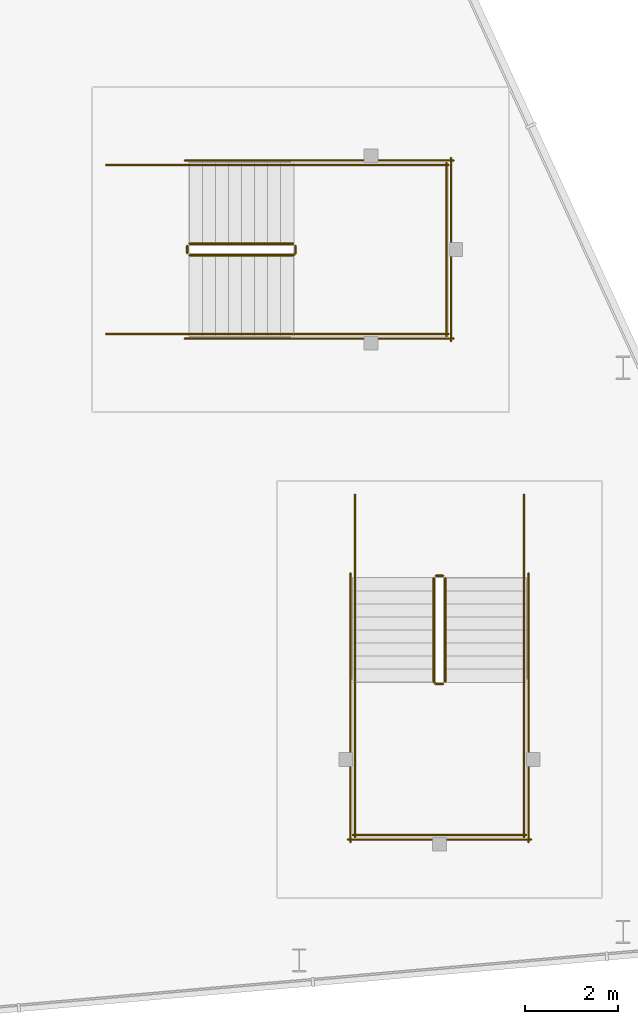
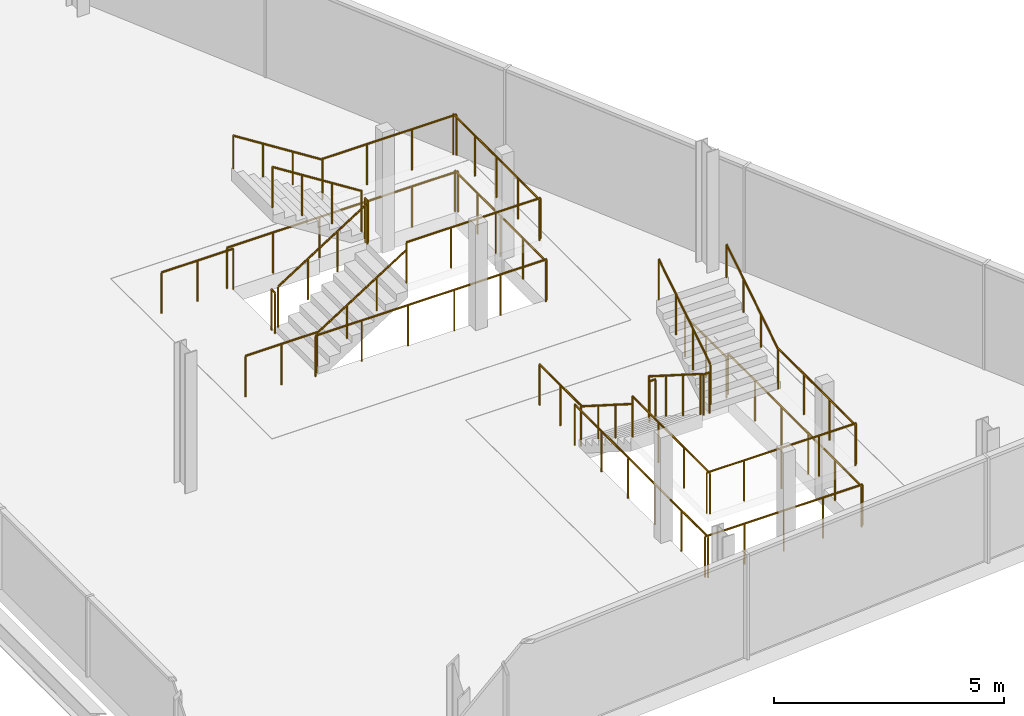
# One storey, part 5 of 6: 26 railings.
"""IFC4 building model written with IfcOpenShell, lengths in metres."""

import ifcopenshell
import ifcopenshell.guid

model = None  # the IFC model being written
_history = None  # IfcOwnerHistory: only IFC2X3 demands one
_inside = {}  # id of a spatial element -> (the spatial element, [elements in it])
_under = {}  # id of a project, library or spatial element -> (it, [spatial elements below it])
_declared = {}  # id of a project -> (the project, [libraries it declares])
_typed = {}  # id of a type object -> (the type object, [elements of that type])
_made_of = {}  # id of a material, layer set ... -> (it, [elements and type objects made of it])


def new_model(schema):
    """Start an empty IFC model of exactly this schema.

    Asked for "IFC4X3", IfcOpenShell would pick the latest addendum, in which some entities
    have other attributes; the version numbers below select the first issue.
    IFC2X3 requires an IfcOwnerHistory on every rooted entity: one is made here for all.
    """
    global model, _history
    if schema == "IFC4X3":
        model = ifcopenshell.file(schema_version=(4, 3, 0, 0))
    else:
        model = ifcopenshell.file(schema=schema)
    _inside.clear()
    _under.clear()
    _declared.clear()
    _typed.clear()
    _made_of.clear()
    _history = None
    if model.schema == "IFC2X3":
        org = make("IfcOrganization", Name="unknown")
        user = make(
            "IfcPersonAndOrganization",
            ThePerson=make("IfcPerson", FamilyName="unknown"),
            TheOrganization=org,
        )
        app = make(
            "IfcApplication",
            ApplicationDeveloper=org,
            Version="unknown",
            ApplicationFullName="unknown",
            ApplicationIdentifier="unknown",
        )
        _history = make(
            "IfcOwnerHistory",
            OwningUser=user,
            OwningApplication=app,
            ChangeAction="ADDED",
            CreationDate=0,
        )
    return model


def make(cls, **values):
    """One entity of the class cls with the attributes given. An attribute that is None is left unset."""
    return model.create_entity(
        cls, **{name: value for name, value in values.items() if value is not None}
    )


def rooted(cls, **values):
    """An entity with a GlobalId (a new one), such as an element, a storey or a relation."""
    return make(cls, GlobalId=ifcopenshell.guid.new(), OwnerHistory=_history, **values)


def si_unit(unit_type, name, prefix=None):
    """IfcSIUnit, for example si_unit("LENGTHUNIT", "METRE", prefix="MILLI")."""
    return make("IfcSIUnit", UnitType=unit_type, Prefix=prefix, Name=name)


def assignment(units):
    """IfcUnitAssignment: the units of a project."""
    return None if units is None else make("IfcUnitAssignment", Units=units)


def point(xyz):
    """IfcCartesianPoint."""
    return None if xyz is None else make("IfcCartesianPoint", Coordinates=xyz)


def direction(xyz):
    """IfcDirection."""
    return None if xyz is None else make("IfcDirection", DirectionRatios=xyz)


def frame(location, z_axis=None, x_axis=None):
    """IfcAxis2Placement3D, a coordinate frame: its origin and axes. An axis left out is left unset."""
    return make(
        "IfcAxis2Placement3D",
        Location=point(location),
        Axis=direction(z_axis),
        RefDirection=direction(x_axis),
    )


def frame_2d(location, x_axis=None):
    """IfcAxis2Placement2D, a coordinate frame in the plane: its origin and x axis."""
    return make(
        "IfcAxis2Placement2D", Location=point(location), RefDirection=direction(x_axis)
    )


def origin():
    """The frame at (0, 0, 0) with its axes left unset."""
    return frame((0.0, 0.0, 0.0))


def origin_2d():
    """The frame at (0, 0) in the plane with its x axis left unset."""
    return frame_2d((0.0, 0.0))


def place(relative_to, where):
    """IfcLocalPlacement: puts the frame where relative to a parent placement (None: the world)."""
    return make(
        "IfcLocalPlacement", PlacementRelTo=relative_to, RelativePlacement=where
    )


def context(
    kind, dimensions, precision=None, world=None, true_north=None, identifier=None
):
    """IfcGeometricRepresentationContext, for example the 3D "Model" context."""
    return make(
        "IfcGeometricRepresentationContext",
        ContextIdentifier=identifier,
        ContextType=kind,
        CoordinateSpaceDimension=dimensions,
        Precision=precision,
        WorldCoordinateSystem=world,
        TrueNorth=true_north,
    )


def subcontext(parent, identifier, kind, view, scale=None):
    """IfcGeometricRepresentationSubContext, for example "Body" below "Model"."""
    return make(
        "IfcGeometricRepresentationSubContext",
        ContextIdentifier=identifier,
        ContextType=kind,
        ParentContext=parent,
        TargetScale=scale,
        TargetView=view,
    )


def project(units=None, contexts=None):
    """IfcProject with its units and contexts."""
    return rooted(
        "IfcProject",
        Name="project",
        RepresentationContexts=contexts,
        UnitsInContext=assignment(units),
    )


def spatial(cls, under=None, at=None, **own):
    """A site, building, storey or space (cls), placed at a placement, below another one or the project."""
    s = rooted(cls, ObjectPlacement=at, **own)
    if under is not None:
        _under.setdefault(under.id(), (under, []))[1].append(s)
    return s


def profile(cls, at=None, kind="AREA", **sizes):
    """A parametric profile (cls). Its sizes go by their IFC names, for example OverallWidth=200.0."""
    return make(cls, ProfileType=kind, Position=at, **sizes)


def circle(**sizes):
    """IfcCircleProfileDef."""
    return profile("IfcCircleProfileDef", **sizes)


def extrude(swept, where, along, depth):
    """IfcExtrudedAreaSolid: the profile swept, set in the frame where, extruded along a direction by depth."""
    return make(
        "IfcExtrudedAreaSolid",
        SweptArea=swept,
        Position=where,
        ExtrudedDirection=direction(along),
        Depth=depth,
    )


def shape(context_of_items, identifier, shape_type, items):
    """IfcShapeRepresentation: the items that make up one representation, for example the "Body"."""
    return make(
        "IfcShapeRepresentation",
        ContextOfItems=context_of_items,
        RepresentationIdentifier=identifier,
        RepresentationType=shape_type,
        Items=items,
    )


def material(Name=None, Category=None):
    """IfcMaterial."""
    return make("IfcMaterial", Name=Name, Category=Category)


def made_of(thing, what):
    """Note that an element or type object is made of a material, layer set ...; save() writes the relation."""
    if what is not None:
        _made_of.setdefault(what.id(), (what, []))[1].append(thing)
    return thing


def type_object(cls, material=None, **own):
    """A type object (cls), such as IfcWallType, which elements share."""
    return made_of(rooted(cls, **own), material)


def element(
    cls,
    number,
    at=None,
    inside=None,
    cuts=None,
    type_object=None,
    material=None,
    context=None,
    identifier="Body",
    shape_type=None,
    held_by="IfcProductDefinitionShape",
    body=None,
    shapes=None,
    **own,
):
    """One element of the class cls, such as IfcWall. Its Tag is "e" and its number.

    at: its placement. inside: the storey or other place that contains it. cuts: it is an
    opening in that element (IfcRelVoidsElement). A single representation is given by context,
    identifier, shape_type and body (its items); several are given by shapes. held_by: the class
    of the entity that holds the representations. save() writes the other relations.
    """
    e = rooted(cls, Tag="e%d" % number, ObjectPlacement=at, **own)
    if body is not None:
        shapes = [shape(context, identifier, shape_type, body)]
    if shapes is not None:
        e.Representation = make(held_by, Representations=shapes)
    if inside is not None:
        _inside.setdefault(inside.id(), (inside, []))[1].append(e)
    if cuts is not None:
        rooted(
            "IfcRelVoidsElement", RelatingBuildingElement=cuts, RelatedOpeningElement=e
        )
    if type_object is not None:
        _typed.setdefault(type_object.id(), (type_object, []))[1].append(e)
    return made_of(e, material)


def aggregate(whole, parts):
    """IfcRelAggregates: a whole, such as a stair, and the parts it consists of."""
    return rooted("IfcRelAggregates", RelatingObject=whole, RelatedObjects=parts)


def save(model, path):
    """Write the relations noted so far, then the file.

    IfcRelAggregates (storeys below a building ...), IfcRelContainedInSpatialStructure (elements
    in a storey), IfcRelDefinesByType, IfcRelAssociatesMaterial and IfcRelDeclares: one each for
    every whole, place, type object, material and project.
    """
    for whole, parts in _under.values():
        aggregate(whole, parts)
    for where, things in _inside.values():
        rooted(
            "IfcRelContainedInSpatialStructure",
            RelatedElements=things,
            RelatingStructure=where,
        )
    for kind, things in _typed.values():
        rooted("IfcRelDefinesByType", RelatedObjects=things, RelatingType=kind)
    for what, things in _made_of.values():
        rooted("IfcRelAssociatesMaterial", RelatedObjects=things, RelatingMaterial=what)
    for by, libraries in _declared.values():
        rooted("IfcRelDeclares", RelatingContext=by, RelatedDefinitions=libraries)
    model.write(path)


model = new_model("IFC4")

# Units and contexts
model_context = context("Model", 3, precision=1e-05, world=origin(), true_north=direction((0.0, 1.0)))
body_context = subcontext(model_context, "Body", "Model", "MODEL_VIEW")
ifc_project = project(units=[si_unit("LENGTHUNIT", "METRE"), si_unit("AREAUNIT", "SQUARE_METRE"), si_unit("VOLUMEUNIT", "CUBIC_METRE"), si_unit("PLANEANGLEUNIT", "RADIAN"), si_unit("MASSUNIT", "GRAM", prefix="KILO")], contexts=[model_context])

# Site, building, storey
site_placement = place(None, origin())
site = spatial("IfcSite", under=ifc_project, at=site_placement, CompositionType="ELEMENT")
building_placement = place(site_placement, origin())
building = spatial("IfcBuilding", under=site, at=building_placement, Name="Wharfspan Tower", CompositionType="ELEMENT")
storey_placement = place(building_placement, frame((0.0, 0.0, 273.899902)))
storey = spatial("IfcBuildingStorey", under=building, at=storey_placement, Name="L70", CompositionType="ELEMENT", Elevation=273.899902)

# Railings
ifc_material = material(Name="Steel S355J2", Category="steel")
railing_type_1 = type_object("IfcRailingType", Name="Stair guard 1100", PredefinedType="GUARDRAIL", material=ifc_material)
railing_1_placement = place(storey_placement, frame((67.906738, 16.421631, 0.177979)))
element("IfcRailing", 1, at=railing_1_placement, inside=storey, type_object=railing_type_1, Name="L70 ST7 stair guard 1", PredefinedType="GUARDRAIL", context=body_context, shape_type="SweptSolid", body=[
    extrude(circle(Radius=0.023926, at=origin_2d()), frame((0.0, 0.0, 1.076172), z_axis=(0.0, -0.844229, 0.535982), x_axis=(1.0, 0.0, 0.0)), (0.0, 0.0, 1.0), 2.65332),
    extrude(circle(Radius=0.023926, at=origin_2d()), frame((0.0, -2.23999, 2.498047), z_axis=(0.707107, -0.707107, 0.0), x_axis=(0.707107, 0.707107, 0.0)), (0.0, 0.0, 1.0), 0.070312),
    extrude(circle(Radius=0.023926, at=origin_2d()), frame((0.049805, -2.289795, 2.498047), z_axis=(1.0, 0.0, 0.0), x_axis=(0.0, 1.0, 0.0)), (0.0, 0.0, 1.0), 0.150146),
    extrude(circle(Radius=0.020996, at=origin_2d()), origin(), (0.0, 0.0, 1.0), 1.052002),
    extrude(circle(Radius=0.020996, at=origin_2d()), frame((0.0, -0.746582, 0.474121)), (0.0, 0.0, 1.0), 1.052002),
    extrude(circle(Radius=0.020996, at=origin_2d()), frame((0.0, -1.493408, 0.947998)), (0.0, 0.0, 1.0), 1.052002),
    extrude(circle(Radius=0.020996, at=origin_2d()), frame((0.0, -2.23999, 1.422119)), (0.0, 0.0, 1.0), 1.052002),
    extrude(circle(Radius=0.020996, at=origin_2d()), frame((0.049805, -2.289795, 1.422119)), (0.0, 0.0, 1.0), 1.052002),
    extrude(circle(Radius=0.020996, at=origin_2d()), frame((0.199951, -2.289795, 1.422119)), (0.0, 0.0, 1.0), 1.052002),
])
for number, where, name in (
    (2, (66.206543, 14.181641, 1.600098), "L70 ST7 stair guard 2"),
    (3, (69.856689, 14.181641, 1.600098), "L70 ST7 stair guard 3"),
):
    element("IfcRailing", number, at=place(storey_placement, frame(where)), inside=storey, type_object=railing_type_1, Name=name, PredefinedType="GUARDRAIL", context=body_context, shape_type="SweptSolid", body=[
        extrude(circle(Radius=0.023926, at=origin_2d()), frame((0.0, 0.0, 1.076172), z_axis=(0.0, -1.0, 0.0), x_axis=(1.0, 0.0, 0.0)), (0.0, 0.0, 1.0), 3.359863),
        extrude(circle(Radius=0.020996, at=origin_2d()), origin(), (0.0, 0.0, 1.0), 1.052002),
        extrude(circle(Radius=0.020996, at=origin_2d()), frame((0.0, -1.119873, 0.0)), (0.0, 0.0, 1.0), 1.052002),
        extrude(circle(Radius=0.020996, at=origin_2d()), frame((0.0, -2.23999, 0.0)), (0.0, 0.0, 1.0), 1.052002),
        extrude(circle(Radius=0.020996, at=origin_2d()), frame((0.0, -3.359863, 0.0)), (0.0, 0.0, 1.0), 1.052002),
    ])
railing_2_placement = place(storey_placement, frame((66.156738, 10.871826, 1.600098)))
element("IfcRailing", 4, at=railing_2_placement, inside=storey, type_object=railing_type_1, Name="L70 ST7 stair guard 4", PredefinedType="GUARDRAIL", context=body_context, shape_type="SweptSolid", body=[
    extrude(circle(Radius=0.023926, at=origin_2d()), frame((0.0, 0.0, 1.076172), z_axis=(1.0, 0.0, 0.0), x_axis=(0.0, 1.0, 0.0)), (0.0, 0.0, 1.0), 3.75),
    extrude(circle(Radius=0.020996, at=origin_2d()), origin(), (0.0, 0.0, 1.0), 1.052002),
    extrude(circle(Radius=0.020996, at=origin_2d()), frame((0.9375, 0.0, 0.0)), (0.0, 0.0, 1.0), 1.052002),
    extrude(circle(Radius=0.020996, at=origin_2d()), frame((1.875, 0.0, 0.0)), (0.0, 0.0, 1.0), 1.052002),
    extrude(circle(Radius=0.020996, at=origin_2d()), frame((2.8125, 0.0, 0.0)), (0.0, 0.0, 1.0), 1.052002),
    extrude(circle(Radius=0.020996, at=origin_2d()), frame((3.75, 0.0, 0.0)), (0.0, 0.0, 1.0), 1.052002),
])
railing_3_placement = place(storey_placement, frame((68.156738, 14.181641, 1.777832)))
element("IfcRailing", 5, at=railing_3_placement, inside=storey, type_object=railing_type_1, Name="L70 ST7 stair guard 5", PredefinedType="GUARDRAIL", context=body_context, shape_type="SweptSolid", body=[
    extrude(circle(Radius=0.023926, at=origin_2d()), frame((0.0, 0.0, 1.076172), z_axis=(0.0, 0.844188, 0.536048), x_axis=(-1.0, 0.0, 0.0)), (0.0, 0.0, 1.0), 2.65332),
    extrude(circle(Radius=0.020996, at=origin_2d()), origin(), (0.0, 0.0, 1.0), 1.052002),
    extrude(circle(Radius=0.020996, at=origin_2d()), frame((0.0, 0.746582, 0.474121)), (0.0, 0.0, 1.0), 1.052002),
    extrude(circle(Radius=0.020996, at=origin_2d()), frame((0.0, 1.493408, 0.948242)), (0.0, 0.0, 1.0), 1.052002),
    extrude(circle(Radius=0.020996, at=origin_2d()), frame((0.0, 2.23999, 1.422363)), (0.0, 0.0, 1.0), 1.052002),
])
railing_4_placement = place(storey_placement, frame((67.956543, 16.47168, 0.0)))
element("IfcRailing", 6, at=railing_4_placement, inside=storey, type_object=railing_type_1, Name="L70 ST7 stair guard 6", PredefinedType="GUARDRAIL", context=body_context, shape_type="SweptSolid", body=[
    extrude(circle(Radius=0.023926, at=origin_2d()), frame((0.0, 0.0, 1.076172), z_axis=(1.0, 0.0, 0.0), x_axis=(0.0, 1.0, 0.0)), (0.0, 0.0, 1.0), 0.150146),
    extrude(circle(Radius=0.020996, at=origin_2d()), origin(), (0.0, 0.0, 1.0), 1.052002),
    extrude(circle(Radius=0.020996, at=origin_2d()), frame((0.150146, 0.0, 0.0)), (0.0, 0.0, 1.0), 1.052002),
])
for number, where, name in (
    (7, (66.206543, 18.22168, 0.0), "L70 ST7 stair guard 7"),
    (8, (69.856689, 18.22168, 0.0), "L70 ST7 stair guard 8"),
):
    element("IfcRailing", number, at=place(storey_placement, frame(where)), inside=storey, type_object=railing_type_1, Name=name, PredefinedType="GUARDRAIL", context=body_context, shape_type="SweptSolid", body=[
        extrude(circle(Radius=0.023926, at=origin_2d()), frame((0.0, 0.0, 1.076172), z_axis=(0.0, -1.0, 0.0), x_axis=(1.0, 0.0, 0.0)), (0.0, 0.0, 1.0), 1.800049),
        extrude(circle(Radius=0.020996, at=origin_2d()), origin(), (0.0, 0.0, 1.0), 1.052002),
        extrude(circle(Radius=0.020996, at=origin_2d()), frame((0.0, -0.899902, 0.0)), (0.0, 0.0, 1.0), 1.052002),
        extrude(circle(Radius=0.020996, at=origin_2d()), frame((0.0, -1.800049, 0.0)), (0.0, 0.0, 1.0), 1.052002),
    ])
for number, where, name in (
    (9, (66.106689, 16.521729, 0.0), "L70 ST7 stair guard 9"),
    (10, (69.956543, 16.521729, 0.0), "L70 ST7 stair guard 10"),
):
    element("IfcRailing", number, at=place(storey_placement, frame(where)), inside=storey, type_object=railing_type_1, Name=name, PredefinedType="GUARDRAIL", context=body_context, shape_type="SweptSolid", body=[
        extrude(circle(Radius=0.023926, at=origin_2d()), frame((0.0, 0.0, 1.076172), z_axis=(0.0, -1.0, 0.0), x_axis=(1.0, 0.0, 0.0)), (0.0, 0.0, 1.0), 5.800049),
        extrude(circle(Radius=0.020996, at=origin_2d()), origin(), (0.0, 0.0, 1.0), 1.052002),
        extrude(circle(Radius=0.020996, at=origin_2d()), frame((0.0, -1.159912, 0.0)), (0.0, 0.0, 1.0), 1.052002),
        extrude(circle(Radius=0.020996, at=origin_2d()), frame((0.0, -2.320068, 0.0)), (0.0, 0.0, 1.0), 1.052002),
        extrude(circle(Radius=0.020996, at=origin_2d()), frame((0.0, -3.47998, 0.0)), (0.0, 0.0, 1.0), 1.052002),
        extrude(circle(Radius=0.020996, at=origin_2d()), frame((0.0, -4.640137, 0.0)), (0.0, 0.0, 1.0), 1.052002),
        extrude(circle(Radius=0.020996, at=origin_2d()), frame((0.0, -5.800049, 0.0)), (0.0, 0.0, 1.0), 1.052002),
    ])
railing_5_placement = place(storey_placement, frame((66.056641, 10.771729, 0.0)))
element("IfcRailing", 11, at=railing_5_placement, inside=storey, type_object=railing_type_1, Name="L70 ST7 stair guard 11", PredefinedType="GUARDRAIL", context=body_context, shape_type="SweptSolid", body=[
    extrude(circle(Radius=0.023926, at=origin_2d()), frame((0.0, 0.0, 1.076172), z_axis=(1.0, 0.0, 0.0), x_axis=(0.0, 1.0, 0.0)), (0.0, 0.0, 1.0), 3.949951),
    extrude(circle(Radius=0.020996, at=origin_2d()), origin(), (0.0, 0.0, 1.0), 1.052002),
    extrude(circle(Radius=0.020996, at=origin_2d()), frame((0.987549, 0.0, 0.0)), (0.0, 0.0, 1.0), 1.052002),
    extrude(circle(Radius=0.020996, at=origin_2d()), frame((1.975098, 0.0, 0.0)), (0.0, 0.0, 1.0), 1.052002),
    extrude(circle(Radius=0.020996, at=origin_2d()), frame((2.962402, 0.0, 0.0)), (0.0, 0.0, 1.0), 1.052002),
    extrude(circle(Radius=0.020996, at=origin_2d()), frame((3.949951, 0.0, 0.0)), (0.0, 0.0, 1.0), 1.052002),
])
railing_6_placement = place(storey_placement, frame((62.631592, 23.396729, 0.177979)))
element("IfcRailing", 12, at=railing_6_placement, inside=storey, type_object=railing_type_1, Name="L70 ST8 stair guard 1", PredefinedType="GUARDRAIL", context=body_context, shape_type="SweptSolid", body=[
    extrude(circle(Radius=0.023926, at=origin_2d()), frame((0.0, 0.0, 1.076172), z_axis=(0.844229, 0.0, 0.535982), x_axis=(0.0, 1.0, 0.0)), (0.0, 0.0, 1.0), 2.65332),
    extrude(circle(Radius=0.023926, at=origin_2d()), frame((2.23999, 0.0, 2.498047), z_axis=(0.707107, 0.707107, 0.0), x_axis=(-0.707107, 0.707107, 0.0)), (0.0, 0.0, 1.0), 0.070801),
    extrude(circle(Radius=0.023926, at=origin_2d()), frame((2.290039, 0.050049, 2.498047), z_axis=(0.0, 1.0, 0.0), x_axis=(-1.0, 0.0, 0.0)), (0.0, 0.0, 1.0), 0.149902),
    extrude(circle(Radius=0.020996, at=origin_2d()), origin(), (0.0, 0.0, 1.0), 1.052002),
    extrude(circle(Radius=0.020996, at=origin_2d()), frame((0.746582, 0.0, 0.474121)), (0.0, 0.0, 1.0), 1.052002),
    extrude(circle(Radius=0.020996, at=origin_2d()), frame((1.493408, 0.0, 0.947998)), (0.0, 0.0, 1.0), 1.052002),
    extrude(circle(Radius=0.020996, at=origin_2d()), frame((2.23999, 0.0, 1.422119)), (0.0, 0.0, 1.0), 1.052002),
    extrude(circle(Radius=0.020996, at=origin_2d()), frame((2.290039, 0.050049, 1.422119)), (0.0, 0.0, 1.0), 1.052002),
    extrude(circle(Radius=0.020996, at=origin_2d()), frame((2.290039, 0.199951, 1.422119)), (0.0, 0.0, 1.0), 1.052002),
])
for number, where, name in (
    (13, (64.871582, 21.696777, 1.600098), "L70 ST8 stair guard 2"),
    (14, (64.871582, 25.34668, 1.600098), "L70 ST8 stair guard 3"),
):
    element("IfcRailing", number, at=place(storey_placement, frame(where)), inside=storey, type_object=railing_type_1, Name=name, PredefinedType="GUARDRAIL", context=body_context, shape_type="SweptSolid", body=[
        extrude(circle(Radius=0.023926, at=origin_2d()), frame((0.0, 0.0, 1.076172), z_axis=(1.0, 0.0, 0.0), x_axis=(0.0, 1.0, 0.0)), (0.0, 0.0, 1.0), 3.360107),
        extrude(circle(Radius=0.020996, at=origin_2d()), origin(), (0.0, 0.0, 1.0), 1.052002),
        extrude(circle(Radius=0.020996, at=origin_2d()), frame((1.120117, 0.0, 0.0)), (0.0, 0.0, 1.0), 1.052002),
        extrude(circle(Radius=0.020996, at=origin_2d()), frame((2.23999, 0.0, 0.0)), (0.0, 0.0, 1.0), 1.052002),
        extrude(circle(Radius=0.020996, at=origin_2d()), frame((3.360107, 0.0, 0.0)), (0.0, 0.0, 1.0), 1.052002),
    ])
railing_7_placement = place(storey_placement, frame((68.181641, 21.646729, 1.600098)))
element("IfcRailing", 15, at=railing_7_placement, inside=storey, type_object=railing_type_1, Name="L70 ST8 stair guard 4", PredefinedType="GUARDRAIL", context=body_context, shape_type="SweptSolid", body=[
    extrude(circle(Radius=0.023926, at=origin_2d()), frame((0.0, 0.0, 1.076172), z_axis=(0.0, 1.0, 0.0), x_axis=(-1.0, 0.0, 0.0)), (0.0, 0.0, 1.0), 3.75),
    extrude(circle(Radius=0.020996, at=origin_2d()), origin(), (0.0, 0.0, 1.0), 1.052002),
    extrude(circle(Radius=0.020996, at=origin_2d()), frame((0.0, 0.9375, 0.0)), (0.0, 0.0, 1.0), 1.052002),
    extrude(circle(Radius=0.020996, at=origin_2d()), frame((0.0, 1.875, 0.0)), (0.0, 0.0, 1.0), 1.052002),
    extrude(circle(Radius=0.020996, at=origin_2d()), frame((0.0, 2.8125, 0.0)), (0.0, 0.0, 1.0), 1.052002),
    extrude(circle(Radius=0.020996, at=origin_2d()), frame((0.0, 3.75, 0.0)), (0.0, 0.0, 1.0), 1.052002),
])
railing_8_placement = place(storey_placement, frame((64.871582, 23.646729, 1.777832)))
element("IfcRailing", 16, at=railing_8_placement, inside=storey, type_object=railing_type_1, Name="L70 ST8 stair guard 5", PredefinedType="GUARDRAIL", context=body_context, shape_type="SweptSolid", body=[
    extrude(circle(Radius=0.023926, at=origin_2d()), frame((0.0, 0.0, 1.076172), z_axis=(-0.844188, 0.0, 0.536048), x_axis=(0.0, -1.0, 0.0)), (0.0, 0.0, 1.0), 2.65332),
    extrude(circle(Radius=0.020996, at=origin_2d()), origin(), (0.0, 0.0, 1.0), 1.052002),
    extrude(circle(Radius=0.020996, at=origin_2d()), frame((-0.746582, 0.0, 0.474121)), (0.0, 0.0, 1.0), 1.052002),
    extrude(circle(Radius=0.020996, at=origin_2d()), frame((-1.493408, 0.0, 0.948242)), (0.0, 0.0, 1.0), 1.052002),
    extrude(circle(Radius=0.020996, at=origin_2d()), frame((-2.23999, 0.0, 1.422363)), (0.0, 0.0, 1.0), 1.052002),
])
railing_9_placement = place(storey_placement, frame((62.581543, 23.446777, 0.0)))
element("IfcRailing", 17, at=railing_9_placement, inside=storey, type_object=railing_type_1, Name="L70 ST8 stair guard 6", PredefinedType="GUARDRAIL", context=body_context, shape_type="SweptSolid", body=[
    extrude(circle(Radius=0.023926, at=origin_2d()), frame((0.0, 0.0, 1.076172), z_axis=(0.0, 1.0, 0.0), x_axis=(-1.0, 0.0, 0.0)), (0.0, 0.0, 1.0), 0.149902),
    extrude(circle(Radius=0.020996, at=origin_2d()), origin(), (0.0, 0.0, 1.0), 1.052002),
    extrude(circle(Radius=0.020996, at=origin_2d()), frame((0.0, 0.149902, 0.0)), (0.0, 0.0, 1.0), 1.052002),
])
for number, where, name in (
    (18, (60.831543, 21.696777, 0.0), "L70 ST8 stair guard 7"),
    (19, (60.831543, 25.34668, 0.0), "L70 ST8 stair guard 8"),
):
    element("IfcRailing", number, at=place(storey_placement, frame(where)), inside=storey, type_object=railing_type_1, Name=name, PredefinedType="GUARDRAIL", context=body_context, shape_type="SweptSolid", body=[
        extrude(circle(Radius=0.023926, at=origin_2d()), frame((0.0, 0.0, 1.076172), z_axis=(1.0, 0.0, 0.0), x_axis=(0.0, 1.0, 0.0)), (0.0, 0.0, 1.0), 1.800049),
        extrude(circle(Radius=0.020996, at=origin_2d()), origin(), (0.0, 0.0, 1.0), 1.052002),
        extrude(circle(Radius=0.020996, at=origin_2d()), frame((0.899902, 0.0, 0.0)), (0.0, 0.0, 1.0), 1.052002),
        extrude(circle(Radius=0.020996, at=origin_2d()), frame((1.800049, 0.0, 0.0)), (0.0, 0.0, 1.0), 1.052002),
    ])
for number, where, name in (
    (20, (62.531738, 21.59668, 0.0), "L70 ST8 stair guard 9"),
    (21, (62.531738, 25.446777, 0.0), "L70 ST8 stair guard 10"),
):
    element("IfcRailing", number, at=place(storey_placement, frame(where)), inside=storey, type_object=railing_type_1, Name=name, PredefinedType="GUARDRAIL", context=body_context, shape_type="SweptSolid", body=[
        extrude(circle(Radius=0.023926, at=origin_2d()), frame((0.0, 0.0, 1.076172), z_axis=(1.0, 0.0, 0.0), x_axis=(0.0, 1.0, 0.0)), (0.0, 0.0, 1.0), 5.799805),
        extrude(circle(Radius=0.020996, at=origin_2d()), origin(), (0.0, 0.0, 1.0), 1.052002),
        extrude(circle(Radius=0.020996, at=origin_2d()), frame((1.159912, 0.0, 0.0)), (0.0, 0.0, 1.0), 1.052002),
        extrude(circle(Radius=0.020996, at=origin_2d()), frame((2.319824, 0.0, 0.0)), (0.0, 0.0, 1.0), 1.052002),
        extrude(circle(Radius=0.020996, at=origin_2d()), frame((3.47998, 0.0, 0.0)), (0.0, 0.0, 1.0), 1.052002),
        extrude(circle(Radius=0.020996, at=origin_2d()), frame((4.639893, 0.0, 0.0)), (0.0, 0.0, 1.0), 1.052002),
        extrude(circle(Radius=0.020996, at=origin_2d()), frame((5.799805, 0.0, 0.0)), (0.0, 0.0, 1.0), 1.052002),
    ])
railing_10_placement = place(storey_placement, frame((68.281738, 21.546631, 0.0)))
element("IfcRailing", 22, at=railing_10_placement, inside=storey, type_object=railing_type_1, Name="L70 ST8 stair guard 11", PredefinedType="GUARDRAIL", context=body_context, shape_type="SweptSolid", body=[
    extrude(circle(Radius=0.023926, at=origin_2d()), frame((0.0, 0.0, 1.076172), z_axis=(0.0, 1.0, 0.0), x_axis=(-1.0, 0.0, 0.0)), (0.0, 0.0, 1.0), 3.950195),
    extrude(circle(Radius=0.020996, at=origin_2d()), origin(), (0.0, 0.0, 1.0), 1.052002),
    extrude(circle(Radius=0.020996, at=origin_2d()), frame((0.0, 0.987549, 0.0)), (0.0, 0.0, 1.0), 1.052002),
    extrude(circle(Radius=0.020996, at=origin_2d()), frame((0.0, 1.975098, 0.0)), (0.0, 0.0, 1.0), 1.052002),
    extrude(circle(Radius=0.020996, at=origin_2d()), frame((0.0, 2.962646, 0.0)), (0.0, 0.0, 1.0), 1.052002),
    extrude(circle(Radius=0.020996, at=origin_2d()), frame((0.0, 3.950195, 0.0)), (0.0, 0.0, 1.0), 1.052002),
])
railing_type_2 = type_object("IfcRailingType", Name="Stair handrail 900", PredefinedType="HANDRAIL", material=ifc_material)
railing_11_placement = place(storey_placement, frame((66.206543, 16.421631, 0.177979)))
element("IfcRailing", 23, at=railing_11_placement, inside=storey, type_object=railing_type_2, Name="L70 ST7 stair handrail 1", PredefinedType="HANDRAIL", context=body_context, shape_type="SweptSolid", body=[
    extrude(circle(Radius=0.023926, at=origin_2d()), frame((0.0, 0.0, 0.875977), z_axis=(0.0, -0.844229, 0.535982), x_axis=(1.0, 0.0, 0.0)), (0.0, 0.0, 1.0), 2.65332),
    extrude(circle(Radius=0.020996, at=origin_2d()), origin(), (0.0, 0.0, 1.0), 0.851807),
    extrude(circle(Radius=0.020996, at=origin_2d()), frame((0.0, -0.746582, 0.474121)), (0.0, 0.0, 1.0), 0.851807),
    extrude(circle(Radius=0.020996, at=origin_2d()), frame((0.0, -1.493408, 0.947998)), (0.0, 0.0, 1.0), 0.851807),
    extrude(circle(Radius=0.020996, at=origin_2d()), frame((0.0, -2.23999, 1.422119)), (0.0, 0.0, 1.0), 0.851807),
])
railing_12_placement = place(storey_placement, frame((69.856689, 14.181641, 1.777832)))
element("IfcRailing", 24, at=railing_12_placement, inside=storey, type_object=railing_type_2, Name="L70 ST7 stair handrail 2", PredefinedType="HANDRAIL", context=body_context, shape_type="SweptSolid", body=[
    extrude(circle(Radius=0.023926, at=origin_2d()), frame((0.0, 0.0, 0.875977), z_axis=(0.0, 0.844188, 0.536048), x_axis=(-1.0, 0.0, 0.0)), (0.0, 0.0, 1.0), 2.65332),
    extrude(circle(Radius=0.020996, at=origin_2d()), origin(), (0.0, 0.0, 1.0), 0.851807),
    extrude(circle(Radius=0.020996, at=origin_2d()), frame((0.0, 0.746582, 0.474121)), (0.0, 0.0, 1.0), 0.851807),
    extrude(circle(Radius=0.020996, at=origin_2d()), frame((0.0, 1.493408, 0.948242)), (0.0, 0.0, 1.0), 0.851807),
    extrude(circle(Radius=0.020996, at=origin_2d()), frame((0.0, 2.23999, 1.422363)), (0.0, 0.0, 1.0), 0.851807),
])
railing_13_placement = place(storey_placement, frame((62.631592, 21.696777, 0.177979)))
element("IfcRailing", 25, at=railing_13_placement, inside=storey, type_object=railing_type_2, Name="L70 ST8 stair handrail 1", PredefinedType="HANDRAIL", context=body_context, shape_type="SweptSolid", body=[
    extrude(circle(Radius=0.023926, at=origin_2d()), frame((0.0, 0.0, 0.875977), z_axis=(0.844229, 0.0, 0.535982), x_axis=(0.0, 1.0, 0.0)), (0.0, 0.0, 1.0), 2.65332),
    extrude(circle(Radius=0.020996, at=origin_2d()), origin(), (0.0, 0.0, 1.0), 0.851807),
    extrude(circle(Radius=0.020996, at=origin_2d()), frame((0.746582, 0.0, 0.474121)), (0.0, 0.0, 1.0), 0.851807),
    extrude(circle(Radius=0.020996, at=origin_2d()), frame((1.493408, 0.0, 0.947998)), (0.0, 0.0, 1.0), 0.851807),
    extrude(circle(Radius=0.020996, at=origin_2d()), frame((2.23999, 0.0, 1.422119)), (0.0, 0.0, 1.0), 0.851807),
])
railing_14_placement = place(storey_placement, frame((64.871582, 25.34668, 1.777832)))
element("IfcRailing", 26, at=railing_14_placement, inside=storey, type_object=railing_type_2, Name="L70 ST8 stair handrail 2", PredefinedType="HANDRAIL", context=body_context, shape_type="SweptSolid", body=[
    extrude(circle(Radius=0.023926, at=origin_2d()), frame((0.0, 0.0, 0.875977), z_axis=(-0.844188, 0.0, 0.536048), x_axis=(0.0, -1.0, 0.0)), (0.0, 0.0, 1.0), 2.65332),
    extrude(circle(Radius=0.020996, at=origin_2d()), origin(), (0.0, 0.0, 1.0), 0.851807),
    extrude(circle(Radius=0.020996, at=origin_2d()), frame((-0.746582, 0.0, 0.474121)), (0.0, 0.0, 1.0), 0.851807),
    extrude(circle(Radius=0.020996, at=origin_2d()), frame((-1.493408, 0.0, 0.948242)), (0.0, 0.0, 1.0), 0.851807),
    extrude(circle(Radius=0.020996, at=origin_2d()), frame((-2.23999, 0.0, 1.422363)), (0.0, 0.0, 1.0), 0.851807),
])

save(model, "model.ifc")
